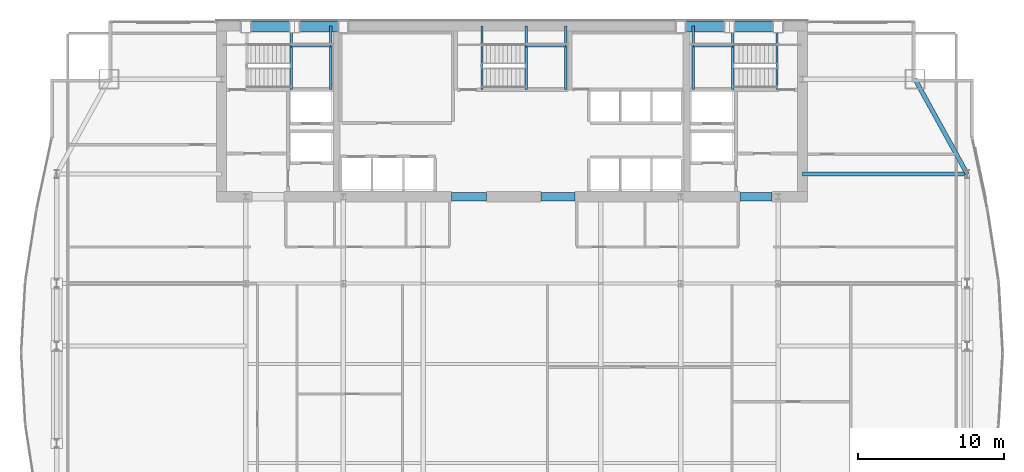
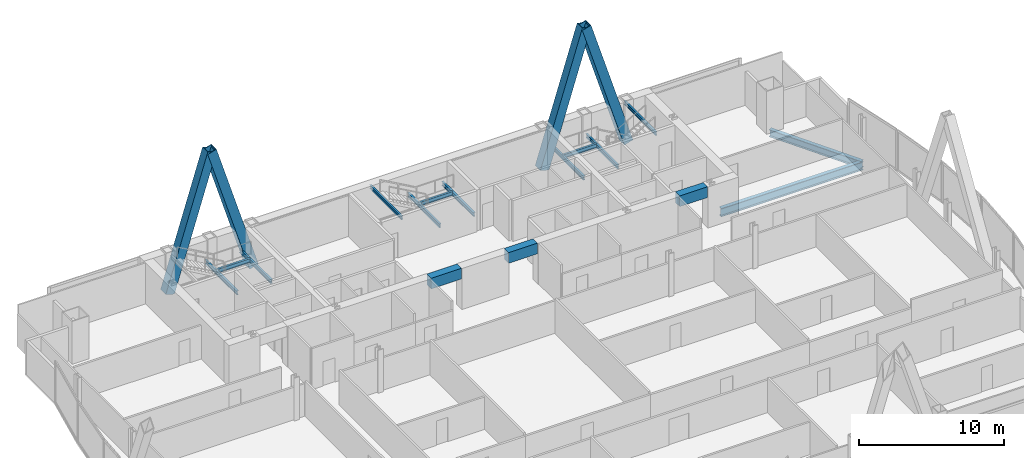
# One storey, part 19 of 30: 16 beams, 4 members.
"""IFC4 building model written with IfcOpenShell, lengths in metres."""

import ifcopenshell
import ifcopenshell.guid

model = None  # the IFC model being written
_history = None  # IfcOwnerHistory: only IFC2X3 demands one
_inside = {}  # id of a spatial element -> (the spatial element, [elements in it])
_under = {}  # id of a project, library or spatial element -> (it, [spatial elements below it])
_declared = {}  # id of a project -> (the project, [libraries it declares])
_typed = {}  # id of a type object -> (the type object, [elements of that type])
_made_of = {}  # id of a material, layer set ... -> (it, [elements and type objects made of it])


def new_model(schema):
    """Start an empty IFC model of exactly this schema.

    Asked for "IFC4X3", IfcOpenShell would pick the latest addendum, in which some entities
    have other attributes; the version numbers below select the first issue.
    IFC2X3 requires an IfcOwnerHistory on every rooted entity: one is made here for all.
    """
    global model, _history
    if schema == "IFC4X3":
        model = ifcopenshell.file(schema_version=(4, 3, 0, 0))
    else:
        model = ifcopenshell.file(schema=schema)
    _inside.clear()
    _under.clear()
    _declared.clear()
    _typed.clear()
    _made_of.clear()
    _history = None
    if model.schema == "IFC2X3":
        org = make("IfcOrganization", Name="unknown")
        user = make(
            "IfcPersonAndOrganization",
            ThePerson=make("IfcPerson", FamilyName="unknown"),
            TheOrganization=org,
        )
        app = make(
            "IfcApplication",
            ApplicationDeveloper=org,
            Version="unknown",
            ApplicationFullName="unknown",
            ApplicationIdentifier="unknown",
        )
        _history = make(
            "IfcOwnerHistory",
            OwningUser=user,
            OwningApplication=app,
            ChangeAction="ADDED",
            CreationDate=0,
        )
    return model


def make(cls, **values):
    """One entity of the class cls with the attributes given. An attribute that is None is left unset."""
    return model.create_entity(
        cls, **{name: value for name, value in values.items() if value is not None}
    )


def rooted(cls, **values):
    """An entity with a GlobalId (a new one), such as an element, a storey or a relation."""
    return make(cls, GlobalId=ifcopenshell.guid.new(), OwnerHistory=_history, **values)


def si_unit(unit_type, name, prefix=None):
    """IfcSIUnit, for example si_unit("LENGTHUNIT", "METRE", prefix="MILLI")."""
    return make("IfcSIUnit", UnitType=unit_type, Prefix=prefix, Name=name)


def assignment(units):
    """IfcUnitAssignment: the units of a project."""
    return None if units is None else make("IfcUnitAssignment", Units=units)


def point(xyz):
    """IfcCartesianPoint."""
    return None if xyz is None else make("IfcCartesianPoint", Coordinates=xyz)


def direction(xyz):
    """IfcDirection."""
    return None if xyz is None else make("IfcDirection", DirectionRatios=xyz)


def frame(location, z_axis=None, x_axis=None):
    """IfcAxis2Placement3D, a coordinate frame: its origin and axes. An axis left out is left unset."""
    return make(
        "IfcAxis2Placement3D",
        Location=point(location),
        Axis=direction(z_axis),
        RefDirection=direction(x_axis),
    )


def frame_2d(location, x_axis=None):
    """IfcAxis2Placement2D, a coordinate frame in the plane: its origin and x axis."""
    return make(
        "IfcAxis2Placement2D", Location=point(location), RefDirection=direction(x_axis)
    )


def origin():
    """The frame at (0, 0, 0) with its axes left unset."""
    return frame((0.0, 0.0, 0.0))


def origin_2d():
    """The frame at (0, 0) in the plane with its x axis left unset."""
    return frame_2d((0.0, 0.0))


def place(relative_to, where):
    """IfcLocalPlacement: puts the frame where relative to a parent placement (None: the world)."""
    return make(
        "IfcLocalPlacement", PlacementRelTo=relative_to, RelativePlacement=where
    )


def context(
    kind, dimensions, precision=None, world=None, true_north=None, identifier=None
):
    """IfcGeometricRepresentationContext, for example the 3D "Model" context."""
    return make(
        "IfcGeometricRepresentationContext",
        ContextIdentifier=identifier,
        ContextType=kind,
        CoordinateSpaceDimension=dimensions,
        Precision=precision,
        WorldCoordinateSystem=world,
        TrueNorth=true_north,
    )


def subcontext(parent, identifier, kind, view, scale=None):
    """IfcGeometricRepresentationSubContext, for example "Body" below "Model"."""
    return make(
        "IfcGeometricRepresentationSubContext",
        ContextIdentifier=identifier,
        ContextType=kind,
        ParentContext=parent,
        TargetScale=scale,
        TargetView=view,
    )


def project(units=None, contexts=None):
    """IfcProject with its units and contexts."""
    return rooted(
        "IfcProject",
        Name="project",
        RepresentationContexts=contexts,
        UnitsInContext=assignment(units),
    )


def spatial(cls, under=None, at=None, **own):
    """A site, building, storey or space (cls), placed at a placement, below another one or the project."""
    s = rooted(cls, ObjectPlacement=at, **own)
    if under is not None:
        _under.setdefault(under.id(), (under, []))[1].append(s)
    return s


def profile(cls, at=None, kind="AREA", **sizes):
    """A parametric profile (cls). Its sizes go by their IFC names, for example OverallWidth=200.0."""
    return make(cls, ProfileType=kind, Position=at, **sizes)


def rectangle(**sizes):
    """IfcRectangleProfileDef."""
    return profile("IfcRectangleProfileDef", **sizes)


def hollow_rectangle(**sizes):
    """IfcRectangleHollowProfileDef."""
    return profile("IfcRectangleHollowProfileDef", **sizes)


def i_section(**sizes):
    """IfcIShapeProfileDef."""
    return profile("IfcIShapeProfileDef", **sizes)


def extrude(swept, where, along, depth):
    """IfcExtrudedAreaSolid: the profile swept, set in the frame where, extruded along a direction by depth."""
    return make(
        "IfcExtrudedAreaSolid",
        SweptArea=swept,
        Position=where,
        ExtrudedDirection=direction(along),
        Depth=depth,
    )


def shape(context_of_items, identifier, shape_type, items):
    """IfcShapeRepresentation: the items that make up one representation, for example the "Body"."""
    return make(
        "IfcShapeRepresentation",
        ContextOfItems=context_of_items,
        RepresentationIdentifier=identifier,
        RepresentationType=shape_type,
        Items=items,
    )


def material(Name=None, Category=None):
    """IfcMaterial."""
    return make("IfcMaterial", Name=Name, Category=Category)


def material_profile(
    of_material, cross_section, Name=None, Category=None, Priority=None
):
    """IfcMaterialProfile: a cross section and its material."""
    return make(
        "IfcMaterialProfile",
        Name=Name,
        Material=of_material,
        Profile=cross_section,
        Priority=Priority,
        Category=Category,
    )


def profile_set(profiles, Name=None, composite=None):
    """IfcMaterialProfileSet."""
    return make(
        "IfcMaterialProfileSet",
        Name=Name,
        MaterialProfiles=profiles,
        CompositeProfile=composite,
    )


def made_of(thing, what):
    """Note that an element or type object is made of a material, layer set ...; save() writes the relation."""
    if what is not None:
        _made_of.setdefault(what.id(), (what, []))[1].append(thing)
    return thing


def type_object(cls, material=None, **own):
    """A type object (cls), such as IfcWallType, which elements share."""
    return made_of(rooted(cls, **own), material)


def element(
    cls,
    number,
    at=None,
    inside=None,
    cuts=None,
    type_object=None,
    material=None,
    context=None,
    identifier="Body",
    shape_type=None,
    held_by="IfcProductDefinitionShape",
    body=None,
    shapes=None,
    **own,
):
    """One element of the class cls, such as IfcWall. Its Tag is "e" and its number.

    at: its placement. inside: the storey or other place that contains it. cuts: it is an
    opening in that element (IfcRelVoidsElement). A single representation is given by context,
    identifier, shape_type and body (its items); several are given by shapes. held_by: the class
    of the entity that holds the representations. save() writes the other relations.
    """
    e = rooted(cls, Tag="e%d" % number, ObjectPlacement=at, **own)
    if body is not None:
        shapes = [shape(context, identifier, shape_type, body)]
    if shapes is not None:
        e.Representation = make(held_by, Representations=shapes)
    if inside is not None:
        _inside.setdefault(inside.id(), (inside, []))[1].append(e)
    if cuts is not None:
        rooted(
            "IfcRelVoidsElement", RelatingBuildingElement=cuts, RelatedOpeningElement=e
        )
    if type_object is not None:
        _typed.setdefault(type_object.id(), (type_object, []))[1].append(e)
    return made_of(e, material)


def aggregate(whole, parts):
    """IfcRelAggregates: a whole, such as a stair, and the parts it consists of."""
    return rooted("IfcRelAggregates", RelatingObject=whole, RelatedObjects=parts)


def save(model, path):
    """Write the relations noted so far, then the file.

    IfcRelAggregates (storeys below a building ...), IfcRelContainedInSpatialStructure (elements
    in a storey), IfcRelDefinesByType, IfcRelAssociatesMaterial and IfcRelDeclares: one each for
    every whole, place, type object, material and project.
    """
    for whole, parts in _under.values():
        aggregate(whole, parts)
    for where, things in _inside.values():
        rooted(
            "IfcRelContainedInSpatialStructure",
            RelatedElements=things,
            RelatingStructure=where,
        )
    for kind, things in _typed.values():
        rooted("IfcRelDefinesByType", RelatedObjects=things, RelatingType=kind)
    for what, things in _made_of.values():
        rooted("IfcRelAssociatesMaterial", RelatedObjects=things, RelatingMaterial=what)
    for by, libraries in _declared.values():
        rooted("IfcRelDeclares", RelatingContext=by, RelatedDefinitions=libraries)
    model.write(path)


model = new_model("IFC4")

# Units and contexts
model_context = context("Model", 3, precision=1e-05, world=origin(), true_north=direction((0.0, 1.0)))
body_context = subcontext(model_context, "Body", "Model", "MODEL_VIEW")
ifc_project = project(units=[si_unit("LENGTHUNIT", "METRE"), si_unit("AREAUNIT", "SQUARE_METRE"), si_unit("VOLUMEUNIT", "CUBIC_METRE"), si_unit("PLANEANGLEUNIT", "RADIAN"), si_unit("MASSUNIT", "GRAM", prefix="KILO")], contexts=[model_context])

# Site, building, storey
site_placement = place(None, origin())
site = spatial("IfcSite", under=ifc_project, at=site_placement, CompositionType="ELEMENT")
building_placement = place(site_placement, origin())
building = spatial("IfcBuilding", under=site, at=building_placement, Name="Khoronbel Lancet Exchange", CompositionType="ELEMENT")
storey_placement = place(building_placement, frame((0.0, 0.0, 157.800048828125)))
storey = spatial("IfcBuildingStorey", under=building, at=storey_placement, Name="L39", CompositionType="ELEMENT", Elevation=157.800048828125)

# Beams
ifc_material_1 = material(Name="Steel S355", Category="steel")
ifc_material_profile_1 = material_profile(ifc_material_1, i_section(OverallWidth=0.300048828125, OverallDepth=0.699951171875, WebThickness=0.01708984375, FlangeThickness=0.031982421875, at=origin_2d()), Name="HEB 700")
ifc_profile_set_1 = profile_set([ifc_material_profile_1], Name="Steel S355")
beam_type_1 = type_object("IfcBeamType", Name="BM-BG3", PredefinedType="BEAM", material=ifc_profile_set_1)
beam_1_placement = place(storey_placement, frame((56.35009765625, 43.199951171875, -0.510009765625), z_axis=(1.0, 0.0, 0.0), x_axis=(0.0, 1.0, 0.0)))
element("IfcBeam", 1, at=beam_1_placement, inside=storey, type_object=beam_type_1, Name="Level L39 east lens tie girder LG3E", PredefinedType="BEAM", context=body_context, shape_type="SweptSolid", body=[
    extrude(i_section(OverallWidth=0.300048828125, OverallDepth=0.699951171875, WebThickness=0.01708984375, FlangeThickness=0.031982421875, at=origin_2d()), origin(), (0.0, 0.0, 1.0), 11.27978515625),
])
ifc_material_profile_2 = material_profile(ifc_material_1, i_section(OverallWidth=0.159912109375, OverallDepth=0.330078125, WebThickness=0.007568359375, FlangeThickness=0.011474609375, at=origin_2d()), Name="IPE 330")
ifc_profile_set_2 = profile_set([ifc_material_profile_2], Name="Steel S355")
beam_type_2 = type_object("IfcBeamType", Name="BM-BJ7", PredefinedType="JOIST", material=ifc_profile_set_2)
for number, where, z_axis, x_axis, name in (
    (2, (21.320068359375, 48.97998046875, 1.43505859375), (0.0, 1.0, 0.0), (-1.0, 0.0, 0.0), "Level L39 stair ST1 landing bearer beam 1"),
    (3, (24.030029296875, 48.97998046875, 1.43505859375), (0.0, 1.0, 0.0), (-1.0, 0.0, 0.0), "Level L39 stair ST1 rear landing bearer beam 1"),
):
    element("IfcBeam", number, at=place(storey_placement, frame(where, z_axis=z_axis, x_axis=x_axis)), inside=storey, type_object=beam_type_2, Name=name, PredefinedType="JOIST", context=body_context, shape_type="SweptSolid", body=[
        extrude(i_section(OverallWidth=0.159912109375, OverallDepth=0.330078125, WebThickness=0.007568359375, FlangeThickness=0.011474609375, at=origin_2d()), origin(), (0.0, 0.0, 1.0), 4.3701171875),
    ])
beam_2_placement = place(storey_placement, frame((21.320068359375, 51.97998046875, 1.43505859375), z_axis=(1.0, 0.0, 0.0), x_axis=(0.0, 1.0, 0.0)))
element("IfcBeam", 4, at=beam_2_placement, inside=storey, type_object=beam_type_2, Name="Level L39 stair ST1 landing cross trimmer beam 1", PredefinedType="JOIST", context=body_context, shape_type="SweptSolid", body=[
    extrude(i_section(OverallWidth=0.159912109375, OverallDepth=0.330078125, WebThickness=0.007568359375, FlangeThickness=0.011474609375, at=origin_2d()), origin(), (0.0, 0.0, 1.0), 2.7099609375),
])
for number, where, z_axis, x_axis, name in (
    (5, (51.580078125, 48.97998046875, 1.43505859375), (0.0, 1.0, 0.0), (-1.0, 0.0, 0.0), "Level L39 stair ST2 landing bearer beam 1"),
    (6, (48.8701171875, 48.97998046875, 1.43505859375), (0.0, 1.0, 0.0), (-1.0, 0.0, 0.0), "Level L39 stair ST2 rear landing bearer beam 1"),
):
    element("IfcBeam", number, at=place(storey_placement, frame(where, z_axis=z_axis, x_axis=x_axis)), inside=storey, type_object=beam_type_2, Name=name, PredefinedType="JOIST", context=body_context, shape_type="SweptSolid", body=[
        extrude(i_section(OverallWidth=0.159912109375, OverallDepth=0.330078125, WebThickness=0.007568359375, FlangeThickness=0.011474609375, at=origin_2d()), origin(), (0.0, 0.0, 1.0), 4.3701171875),
    ])
beam_3_placement = place(storey_placement, frame((48.8701171875, 51.97998046875, 1.43505859375), z_axis=(1.0, 0.0, 0.0), x_axis=(0.0, 1.0, 0.0)))
element("IfcBeam", 7, at=beam_3_placement, inside=storey, type_object=beam_type_2, Name="Level L39 stair ST2 landing cross trimmer beam 1", PredefinedType="JOIST", context=body_context, shape_type="SweptSolid", body=[
    extrude(i_section(OverallWidth=0.159912109375, OverallDepth=0.330078125, WebThickness=0.007568359375, FlangeThickness=0.011474609375, at=origin_2d()), origin(), (0.0, 0.0, 1.0), 2.7099609375),
])
for number, where, z_axis, x_axis, name in (
    (8, (37.419921875, 48.97998046875, 1.43505859375), (0.0, 1.0, 0.0), (-1.0, 0.0, 0.0), "Level L39 stair ST3 landing bearer beam 1"),
    (9, (40.1298828125, 48.97998046875, 1.43505859375), (0.0, 1.0, 0.0), (-1.0, 0.0, 0.0), "Level L39 stair ST3 rear landing bearer beam 1"),
):
    element("IfcBeam", number, at=place(storey_placement, frame(where, z_axis=z_axis, x_axis=x_axis)), inside=storey, type_object=beam_type_2, Name=name, PredefinedType="JOIST", context=body_context, shape_type="SweptSolid", body=[
        extrude(i_section(OverallWidth=0.159912109375, OverallDepth=0.330078125, WebThickness=0.007568359375, FlangeThickness=0.011474609375, at=origin_2d()), origin(), (0.0, 0.0, 1.0), 4.3701171875),
    ])
beam_4_placement = place(storey_placement, frame((37.419921875, 51.97998046875, 1.43505859375), z_axis=(1.0, 0.0, 0.0), x_axis=(0.0, 1.0, 0.0)))
element("IfcBeam", 10, at=beam_4_placement, inside=storey, type_object=beam_type_2, Name="Level L39 stair ST3 landing cross trimmer beam 1", PredefinedType="JOIST", context=body_context, shape_type="SweptSolid", body=[
    extrude(i_section(OverallWidth=0.159912109375, OverallDepth=0.330078125, WebThickness=0.007568359375, FlangeThickness=0.011474609375, at=origin_2d()), origin(), (0.0, 0.0, 1.0), 2.7099609375),
])
ifc_material_profile_3 = material_profile(ifc_material_1, i_section(OverallWidth=0.14990234375, OverallDepth=0.300048828125, WebThickness=0.007080078125, FlangeThickness=0.0107421875, at=origin_2d()), Name="IPE 300")
ifc_profile_set_3 = profile_set([ifc_material_profile_3], Name="Steel S355")
beam_type_3 = type_object("IfcBeamType", Name="BM-BJ8", PredefinedType="JOIST", material=ifc_profile_set_3)
for number, where, z_axis, x_axis, name in (
    (11, (54.60009765625, 48.97998046875, 3.159912109375), (0.0, 1.0, 0.0), (-1.0, 0.0, 0.0), "Level L39 stair ST2 upper-flight arrival trimmer beam"),
    (12, (34.39990234375, 48.97998046875, 3.159912109375), (0.0, 1.0, 0.0), (-1.0, 0.0, 0.0), "Level L39 stair ST3 upper-flight arrival trimmer beam"),
):
    element("IfcBeam", number, at=place(storey_placement, frame(where, z_axis=z_axis, x_axis=x_axis)), inside=storey, type_object=beam_type_3, Name=name, PredefinedType="JOIST", context=body_context, shape_type="SweptSolid", body=[
        extrude(i_section(OverallWidth=0.14990234375, OverallDepth=0.300048828125, WebThickness=0.007080078125, FlangeThickness=0.0107421875, at=origin_2d()), origin(), (0.0, 0.0, 1.0), 4.3701171875),
    ])
ifc_material_2 = material(Name="Concrete C80/95", Category="concrete")
ifc_material_profile_4 = material_profile(ifc_material_2, rectangle(XDim=0.60009765625, YDim=0.89990234375, at=origin_2d()), Name="RC 600x900")
ifc_profile_set_4 = profile_set([ifc_material_profile_4], Name="Concrete C80/95")
beam_type_4 = type_object("IfcBeamType", Name="BM-BL1", PredefinedType="LINTEL", material=ifc_profile_set_4)
beam_5_placement = place(storey_placement, frame((32.300048828125, 41.64990234375, 2.989990234375), z_axis=(1.0, 0.0, 0.0), x_axis=(0.0, 1.0, 0.0)))
element("IfcBeam", 13, at=beam_5_placement, inside=storey, type_object=beam_type_4, Name="Level L39 rear core coupling lintel L2", PredefinedType="LINTEL", context=body_context, shape_type="SweptSolid", body=[
    extrude(rectangle(XDim=0.60009765625, YDim=0.89990234375, at=origin_2d()), origin(), (0.0, 0.0, 1.0), 2.39990234375),
])
beam_6_placement = place(storey_placement, frame((38.449951171875, 41.64990234375, 2.989990234375), z_axis=(1.0, 0.0, 0.0), x_axis=(0.0, 1.0, 0.0)))
element("IfcBeam", 14, at=beam_6_placement, inside=storey, type_object=beam_type_4, Name="Level L39 rear core coupling lintel L3", PredefinedType="LINTEL", context=body_context, shape_type="SweptSolid", body=[
    extrude(rectangle(XDim=0.60009765625, YDim=0.89990234375, at=origin_2d()), origin(), (0.0, 0.0, 1.0), 2.300048828125),
])
beam_7_placement = place(storey_placement, frame((52.050048828125, 41.64990234375, 2.989990234375), z_axis=(1.0, 0.0, 0.0), x_axis=(0.0, 1.0, 0.0)))
element("IfcBeam", 15, at=beam_7_placement, inside=storey, type_object=beam_type_4, Name="Level L39 rear core coupling lintel L4", PredefinedType="LINTEL", context=body_context, shape_type="SweptSolid", body=[
    extrude(rectangle(XDim=0.60009765625, YDim=0.89990234375, at=origin_2d()), origin(), (0.0, 0.0, 1.0), 2.199951171875),
])
ifc_material_profile_5 = material_profile(ifc_material_1, i_section(OverallWidth=0.300048828125, OverallDepth=0.60009765625, WebThickness=0.015380859375, FlangeThickness=0.030029296875, at=origin_2d()), Name="HEB 600")
ifc_profile_set_5 = profile_set([ifc_material_profile_5], Name="Steel S355")
beam_type_5 = type_object("IfcBeamType", Name="BM-BSP2", PredefinedType="SPANDREL", material=ifc_profile_set_5)
beam_8_placement = place(storey_placement, frame((67.6298828125, 43.199951171875, -0.4599609375), z_axis=(-0.482418808117, 0.875940690672, 0.0), x_axis=(-0.875940690672, -0.482418808117, 0.0)))
element("IfcBeam", 16, at=beam_8_placement, inside=storey, type_object=beam_type_5, Name="Level L39 perimeter spandrel beam SP15", PredefinedType="SPANDREL", context=body_context, shape_type="SweptSolid", body=[
    extrude(i_section(OverallWidth=0.300048828125, OverallDepth=0.60009765625, WebThickness=0.015380859375, FlangeThickness=0.030029296875, at=origin_2d()), origin(), (0.0, 0.0, 1.0), 7.420654296875),
])

# Members
ifc_material_3 = material(Name="Steel S460", Category="steel")
ifc_material_profile_6 = material_profile(ifc_material_3, hollow_rectangle(XDim=0.719970703125, YDim=0.719970703125, WallThickness=0.050048828125, at=origin_2d()), Name="BOX 720x720x50")
ifc_profile_set_6 = profile_set([ifc_material_profile_6], Name="Steel S460")
member_type = type_object("IfcMemberType", Name="MEM-MB2", PredefinedType="BRACE", material=ifc_profile_set_6)
for number, where, z_axis, x_axis, name in (
    (17, (18.22509765625, 53.280029296875, 0.0), (0.295242108906, 0.0, 0.955422470496), (0.0, 1.0, 0.0), "Perimeter lancet brace tier 13 N-W-L"),
    (18, (24.89990234375, 53.280029296875, 0.0), (-0.295242108906, 0.0, 0.955422470496), (0.0, -1.0, 0.0), "Perimeter lancet brace tier 13 N-W-R"),
    (19, (48.0, 53.280029296875, 0.0), (0.295242108906, 0.0, 0.955422470496), (0.0, 1.0, 0.0), "Perimeter lancet brace tier 13 N-E-L"),
    (20, (54.675048828125, 53.280029296875, 0.0), (-0.295261823895, 0.0, 0.955416378), (0.0, -1.0, 0.0), "Perimeter lancet brace tier 13 N-E-R"),
):
    element("IfcMember", number, at=place(storey_placement, frame(where, z_axis=z_axis, x_axis=x_axis)), inside=storey, type_object=member_type, Name=name, PredefinedType="BRACE", context=body_context, shape_type="SweptSolid", body=[
        extrude(hollow_rectangle(XDim=0.719970703125, YDim=0.719970703125, WallThickness=0.050048828125, at=origin_2d()), origin(), (0.0, 0.0, 1.0), 11.303955078125),
    ])

save(model, "model.ifc")
